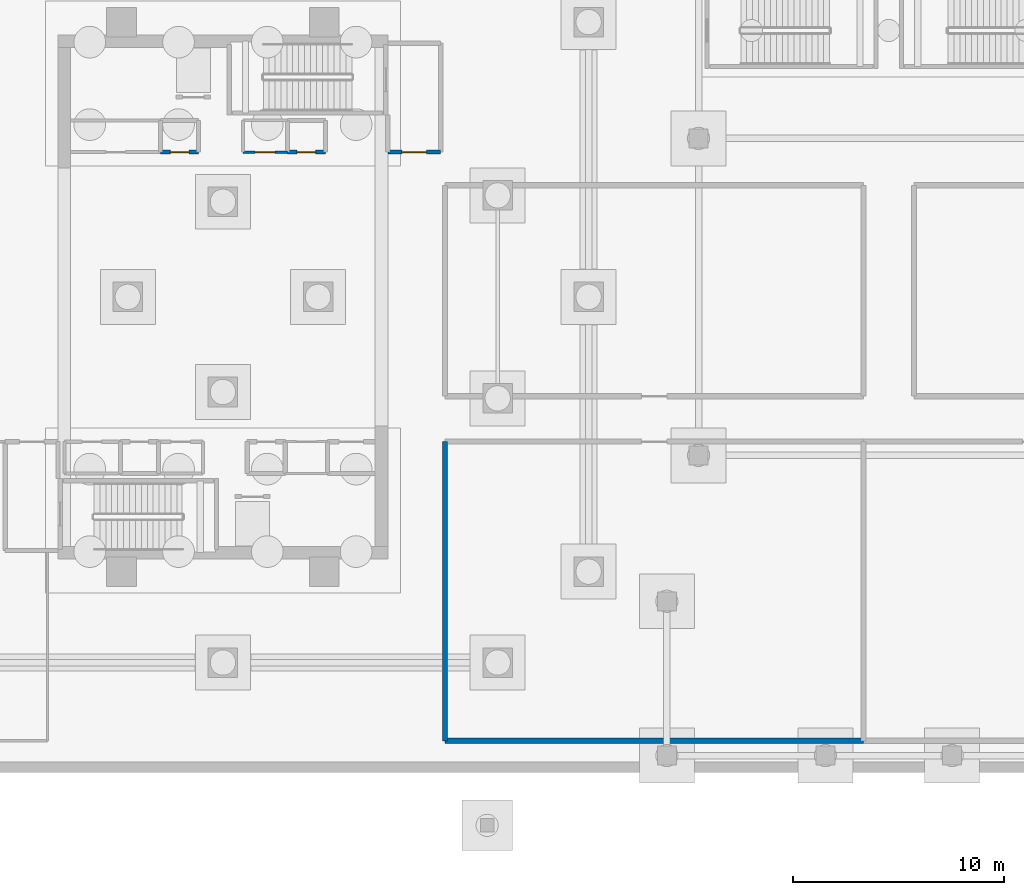
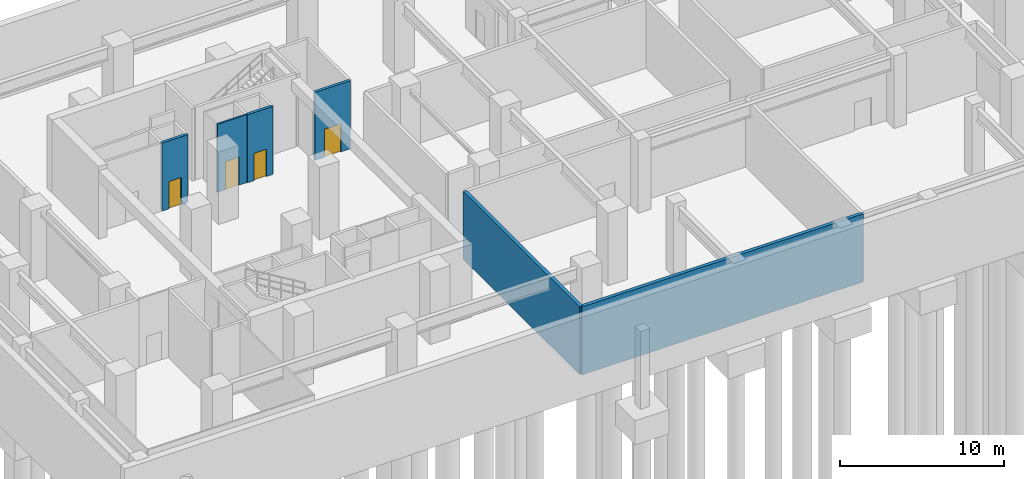
# One storey, part 5 of 14: 6 walls, 4 doors, 4 openings.
"""IFC4 building model written with IfcOpenShell, lengths in metres."""

from ifc_helpers import new_model, si_unit, direction, frame, frame_2d, origin, place, context, subcontext, project, spatial, rectangle, extrude, material, layer, layer_set, type_object, element, fill, save


model = new_model("IFC4")

# Units and contexts
model_context = context("Model", 3, precision=1e-05, world=origin(), true_north=direction((0.0, 1.0)))
body_context = subcontext(model_context, "Body", "Model", "MODEL_VIEW")
ifc_project = project(units=[si_unit("LENGTHUNIT", "METRE"), si_unit("AREAUNIT", "SQUARE_METRE"), si_unit("VOLUMEUNIT", "CUBIC_METRE"), si_unit("PLANEANGLEUNIT", "RADIAN"), si_unit("MASSUNIT", "GRAM", prefix="KILO")], contexts=[model_context])

# Site, building, storey
site_placement = place(None, origin())
site = spatial("IfcSite", under=ifc_project, at=site_placement, CompositionType="ELEMENT")
building_placement = place(site_placement, origin())
building = spatial("IfcBuilding", under=site, at=building_placement, Name="Thornwick Lancets Civic Towers", CompositionType="ELEMENT")
storey_placement = place(building_placement, frame((0.0, 0.0, -5.39990234375)))
storey = spatial("IfcBuildingStorey", under=building, at=storey_placement, Name="B01", CompositionType="ELEMENT", Elevation=-5.39990234375)

# Wall, opening, door
ifc_material_1 = material(Name="Concrete blockwork C40/50", Category="masonry")
ifc_layer_1 = layer(ifc_material_1, 0.199951171875, Name="Concrete blockwork C40/50")
ifc_layer_set_1 = layer_set([ifc_layer_1], Name="Concrete blockwork C40/50")
wall_type_1 = type_object("IfcWallType", Name="WALL_COMP_200", PredefinedType="STANDARD", material=ifc_layer_set_1)
wall_1_placement = place(storey_placement, frame((33.300048828125, 33.85009765625, 0.0), z_axis=(0.0, 0.0, 1.0), x_axis=(1.0, 0.0, 0.0)))
wall_1 = element("IfcWall", 1, at=wall_1_placement, inside=storey, type_object=wall_type_1, Name="B01 Partition B01-A-FFLOB2 E1", PredefinedType="STANDARD", context=body_context, shape_type="SweptSolid", body=[
    extrude(rectangle(XDim=2.5, YDim=0.199951171875, at=frame_2d((1.25, 0.0))), origin(), (0.0, 0.0, 1.0), 5.059814453125),
])
opening_1_placement = place(wall_1_placement, frame((0.675048828125, 0.0, 0.0)))
opening_1 = element("IfcOpeningElement", 2, at=opening_1_placement, cuts=wall_1, Name="Opening D-B01-0008", PredefinedType="OPENING", context=body_context, shape_type="SweptSolid", body=[
    extrude(rectangle(XDim=1.14990234375, YDim=2.10009765625, at=frame_2d((0.574951171875, 1.050048828125))), frame((0.0, 0.10986328125, 0.0), z_axis=(0.0, -1.0, 0.0), x_axis=(1.0, 0.0, 0.0)), (0.0, 0.0, 1.0), 0.219970703125),
])
ifc_material_2 = material(Name="Glazed fire-resisting steel", Category="steel")
door_type_1 = type_object("IfcDoorType", Name="DOOR_LOBBY_FD60", OperationType="NOTDEFINED", PredefinedType="DOOR", material=ifc_material_2)
door_1_placement = place(opening_1_placement, origin())
door_1 = element("IfcDoor", 3, at=door_1_placement, inside=storey, type_object=door_type_1, Name="B01 North Firefighting Lobby 2 Door", OperationType="SINGLE_SWING_LEFT", OverallHeight=2.10009765625, OverallWidth=1.14990234375, PredefinedType="DOOR", context=body_context, shape_type="SweptSolid", body=[
    extrude(rectangle(XDim=1.14990234375, YDim=2.10009765625, at=frame_2d((0.574951171875, 1.050048828125))), frame((0.0, 0.02490234375, 0.0), z_axis=(0.0, -1.0, 0.0), x_axis=(1.0, 0.0, 0.0)), (0.0, 0.0, 1.0), 0.050048828125),
])
fill(opening_1, door_1)

wall_2_placement = place(storey_placement, frame((22.550048828125, 33.85009765625, 0.0), z_axis=(0.0, 0.0, 1.0), x_axis=(1.0, 0.0, 0.0)))
wall_2 = element("IfcWall", 4, at=wall_2_placement, inside=storey, type_object=wall_type_1, Name="B01 Partition B01-A-DUCT2 E1", PredefinedType="STANDARD", context=body_context, shape_type="SweptSolid", body=[
    extrude(rectangle(XDim=1.800048828125, YDim=0.199951171875, at=frame_2d((0.89990234375, 0.0))), origin(), (0.0, 0.0, 1.0), 5.059814453125),
])
opening_2_placement = place(wall_2_placement, frame((0.4599609375, 0.0, 0.0)))
opening_2 = element("IfcOpeningElement", 5, at=opening_2_placement, cuts=wall_2, Name="Opening D-B01-0011", PredefinedType="OPENING", context=body_context, shape_type="SweptSolid", body=[
    extrude(rectangle(XDim=0.8798828125, YDim=2.0400390625, at=frame_2d((0.43994140625, 1.02001953125))), frame((0.0, 0.10986328125, 0.0), z_axis=(0.0, -1.0, 0.0), x_axis=(1.0, 0.0, 0.0)), (0.0, 0.0, 1.0), 0.219970703125),
])
ifc_material_3 = material(Name="Steel riser access doorset", Category="steel")
door_type_2 = type_object("IfcDoorType", Name="DOOR_RISER_850", OperationType="NOTDEFINED", PredefinedType="DOOR", material=ifc_material_3)
door_2_placement = place(opening_2_placement, origin())
door_2 = element("IfcDoor", 6, at=door_2_placement, inside=storey, type_object=door_type_2, Name="B01 North Service Duct 2 Door", OperationType="SINGLE_SWING_RIGHT", OverallHeight=2.0400390625, OverallWidth=0.8798828125, PredefinedType="DOOR", context=body_context, shape_type="SweptSolid", body=[
    extrude(rectangle(XDim=0.8798828125, YDim=2.0400390625, at=frame_2d((0.43994140625, 1.02001953125))), frame((0.0, 0.02490234375, 0.0), z_axis=(0.0, -1.0, 0.0), x_axis=(1.0, 0.0, 0.0)), (0.0, 0.0, 1.0), 0.050048828125),
])
fill(opening_2, door_2)

wall_3_placement = place(storey_placement, frame((28.550048828125, 33.85009765625, 0.0), z_axis=(0.0, 0.0, 1.0), x_axis=(1.0, 0.0, 0.0)))
wall_3 = element("IfcWall", 7, at=wall_3_placement, inside=storey, type_object=wall_type_1, Name="B01 Partition B01-A-RISER2 E1", PredefinedType="STANDARD", context=body_context, shape_type="SweptSolid", body=[
    extrude(rectangle(XDim=1.800048828125, YDim=0.199951171875, at=frame_2d((0.89990234375, 0.0))), origin(), (0.0, 0.0, 1.0), 5.059814453125),
])
opening_3_placement = place(wall_3_placement, frame((0.4599609375, 0.0, 0.0)))
opening_3 = element("IfcOpeningElement", 8, at=opening_3_placement, cuts=wall_3, Name="Opening D-B01-0012", PredefinedType="OPENING", context=body_context, shape_type="SweptSolid", body=[
    extrude(rectangle(XDim=0.8798828125, YDim=2.0400390625, at=frame_2d((0.43994140625, 1.02001953125))), frame((0.0, 0.10986328125, 0.0), z_axis=(0.0, -1.0, 0.0), x_axis=(1.0, 0.0, 0.0)), (0.0, 0.0, 1.0), 0.219970703125),
])
door_3_placement = place(opening_3_placement, origin())
door_3 = element("IfcDoor", 9, at=door_3_placement, inside=storey, type_object=door_type_2, Name="B01 North Service Riser 2 Door", OperationType="SINGLE_SWING_LEFT", OverallHeight=2.0400390625, OverallWidth=0.8798828125, PredefinedType="DOOR", context=body_context, shape_type="SweptSolid", body=[
    extrude(rectangle(XDim=0.8798828125, YDim=2.0400390625, at=frame_2d((0.43994140625, 1.02001953125))), frame((0.0, 0.02490234375, 0.0), z_axis=(0.0, -1.0, 0.0), x_axis=(1.0, 0.0, 0.0)), (0.0, 0.0, 1.0), 0.050048828125),
])
fill(opening_3, door_3)

# Walls
ifc_layer_2 = layer(ifc_material_1, 0.239990234375, Name="Concrete blockwork C40/50")
ifc_layer_set_2 = layer_set([ifc_layer_2], Name="Concrete blockwork C40/50")
wall_type_2 = type_object("IfcWallType", Name="WALL_COMP_240", PredefinedType="STANDARD", material=ifc_layer_set_2)
wall_4_placement = place(storey_placement, frame((55.800048828125, 6.0, 0.0), z_axis=(0.0, 0.0, 1.0), x_axis=(-1.0, 0.0, 0.0)))
element("IfcWall", 10, at=wall_4_placement, inside=storey, type_object=wall_type_2, Name="B01 Partition B01-CHILL E1", PredefinedType="STANDARD", context=body_context, shape_type="SweptSolid", body=[
    extrude(rectangle(XDim=19.800048828125, YDim=0.239990234375, at=frame_2d((9.89990234375, 0.0))), origin(), (0.0, 0.0, 1.0), 5.059814453125),
])
wall_5_placement = place(storey_placement, frame((36.0, 6.0, 0.0), z_axis=(0.0, 0.0, 1.0), x_axis=(0.0, 1.0, 0.0)))
element("IfcWall", 11, at=wall_5_placement, inside=storey, type_object=wall_type_2, Name="B01 Partition B01-CHILL E2", PredefinedType="STANDARD", context=body_context, shape_type="SweptSolid", body=[
    extrude(rectangle(XDim=14.14990234375, YDim=0.239990234375, at=frame_2d((7.074951171875, 0.0))), origin(), (0.0, 0.0, 1.0), 5.059814453125),
])

# Wall, opening, door
ifc_material_4 = material(Name="Acoustic gypsum board partition")
ifc_layer_3 = layer(ifc_material_4, 0.1201171875, Name="Acoustic gypsum board partition")
ifc_layer_set_3 = layer_set([ifc_layer_3], Name="Acoustic gypsum board partition")
wall_type_3 = type_object("IfcWallType", Name="WALL_PART_120", PredefinedType="PARTITIONING", material=ifc_layer_set_3)
wall_6_placement = place(storey_placement, frame((28.550048828125, 33.85009765625, 0.0), z_axis=(0.0, 0.0, 1.0), x_axis=(-1.0, 0.0, 0.0)))
wall_6 = element("IfcWall", 12, at=wall_6_placement, inside=storey, type_object=wall_type_3, Name="B01 Partition B01-A-ITR E4", PredefinedType="PARTITIONING", context=body_context, shape_type="SweptSolid", body=[
    extrude(rectangle(XDim=2.10009765625, YDim=0.1201171875, at=frame_2d((1.050048828125, 0.0))), origin(), (0.0, 0.0, 1.0), 5.059814453125),
])
opening_4_placement = place(wall_6_placement, frame((0.574951171875, 0.0, 0.0)))
opening_4 = element("IfcOpeningElement", 13, at=opening_4_placement, cuts=wall_6, Name="Opening D-B01-0018", PredefinedType="OPENING", context=body_context, shape_type="SweptSolid", body=[
    extrude(rectangle(XDim=0.949951171875, YDim=2.10009765625, at=frame_2d((0.47509765625, 1.050048828125))), frame((0.0, 0.070068359375, 0.0), z_axis=(0.0, -1.0, 0.0), x_axis=(1.0, 0.0, 0.0)), (0.0, 0.0, 1.0), 0.14013671875),
])
ifc_material_5 = material(Name="European oak acoustic doorset")
door_type_3 = type_object("IfcDoorType", Name="DOOR_OFFICE_950", OperationType="NOTDEFINED", PredefinedType="DOOR", material=ifc_material_5)
door_4_placement = place(opening_4_placement, origin())
door_4 = element("IfcDoor", 14, at=door_4_placement, inside=storey, type_object=door_type_3, Name="B01 Tower A Comms Patch Room Door", OperationType="SINGLE_SWING_LEFT", OverallHeight=2.10009765625, OverallWidth=0.949951171875, PredefinedType="DOOR", context=body_context, shape_type="SweptSolid", body=[
    extrude(rectangle(XDim=0.949951171875, YDim=2.10009765625, at=frame_2d((0.47509765625, 1.050048828125))), frame((0.0, 0.02490234375, 0.0), z_axis=(0.0, -1.0, 0.0), x_axis=(1.0, 0.0, 0.0)), (0.0, 0.0, 1.0), 0.050048828125),
])
fill(opening_4, door_4)

save(model, "model.ifc")
